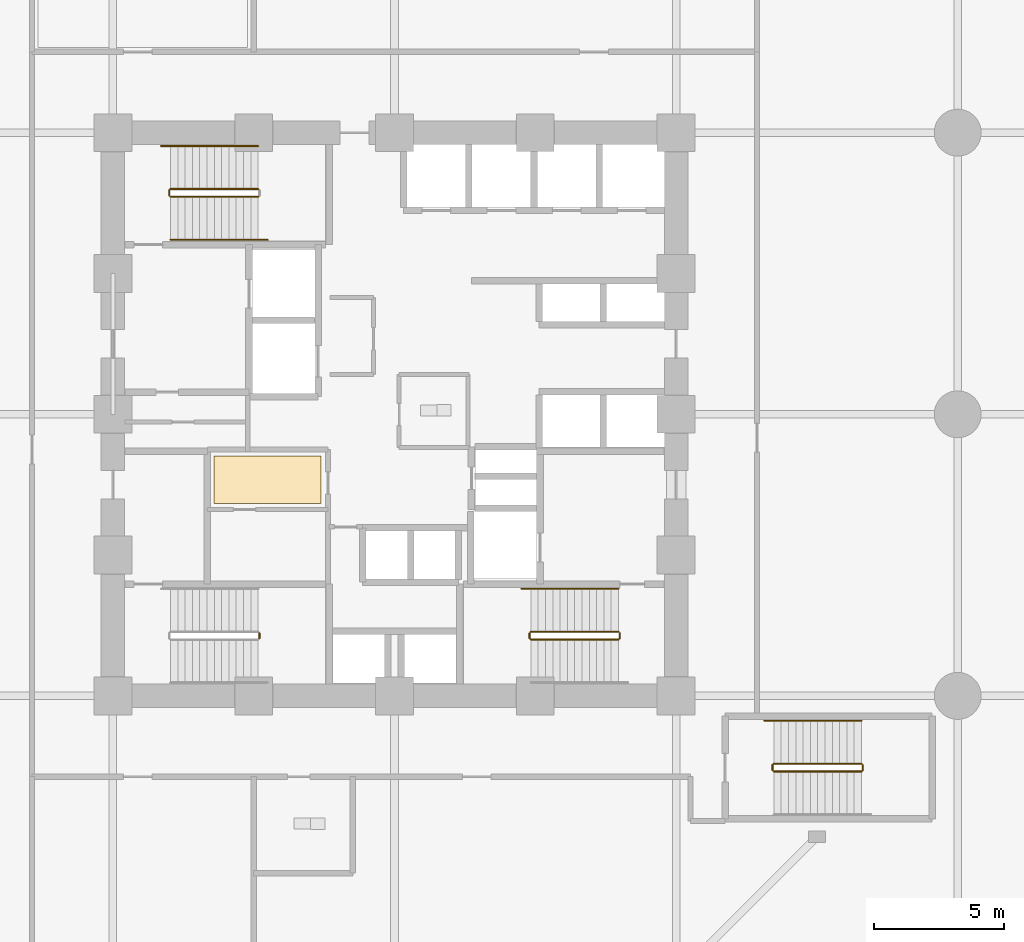
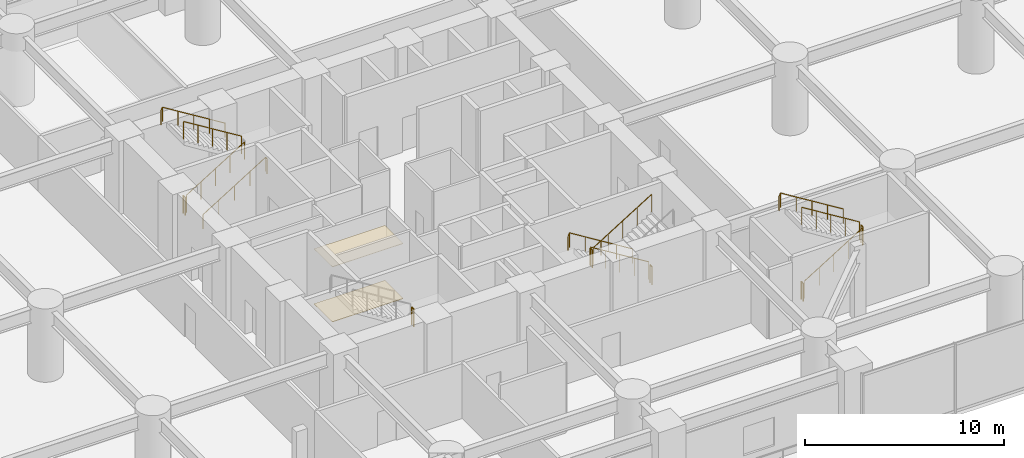
# One storey, part 33 of 36: 16 railings, 2 coverings.
"""IFC4 building model written with IfcOpenShell, lengths in metres."""

from ifc_helpers import new_model, si_unit, direction, frame, origin, origin_2d, place, context, subcontext, project, spatial, polyline, circle, outline, extrude, material, layer, layer_set, type_object, element, save


model = new_model("IFC4")

# Units and contexts
model_context = context("Model", 3, precision=1e-05, world=origin(), true_north=direction((0.0, 1.0)))
body_context = subcontext(model_context, "Body", "Model", "MODEL_VIEW")
ifc_project = project(units=[si_unit("LENGTHUNIT", "METRE"), si_unit("AREAUNIT", "SQUARE_METRE"), si_unit("VOLUMEUNIT", "CUBIC_METRE"), si_unit("PLANEANGLEUNIT", "RADIAN"), si_unit("MASSUNIT", "GRAM", prefix="KILO")], contexts=[model_context])

# Site, building, storey
site_placement = place(None, origin())
site = spatial("IfcSite", under=ifc_project, at=site_placement, CompositionType="ELEMENT")
building_placement = place(site_placement, origin())
building = spatial("IfcBuilding", under=site, at=building_placement, Name="Surkhivell Harbour Commons", CompositionType="ELEMENT")
storey_placement = place(building_placement, frame((0.0, 0.0, 9.0)))
storey = spatial("IfcBuildingStorey", under=building, at=storey_placement, Name="L02", CompositionType="ELEMENT", Elevation=9.0)

# Coverings
ifc_material_1 = material(Name="Perforated acoustic mineral-fibre ceiling tile", Category="other")
ifc_layer_1 = layer(ifc_material_1, 0.02490234375)
ifc_layer_set_1 = layer_set([ifc_layer_1], Name="Perforated acoustic mineral-fibre ceiling tile")
covering_type_1 = type_object("IfcCoveringType", Name="COV-CEIL-AC", PredefinedType="CEILING", material=ifc_layer_set_1)
covering_1_placement = place(storey_placement, frame((0.0, 0.0, 3.3740234375)))
element("IfcCovering", 1, at=covering_1_placement, inside=storey, type_object=covering_type_1, Name="L02 Suspended Acoustic Ceiling 1", PredefinedType="CEILING", context=body_context, shape_type="SweptSolid", body=[
    extrude(outline(polyline([(-6.929931640625, -3.429931640625), (-2.820068359375, -3.429931640625), (-2.820068359375, -1.60009765625), (-6.929931640625, -1.60009765625), (-6.929931640625, -3.429931640625)])), origin(), (0.0, 0.0, 1.0), 0.02490234375),
])
ifc_material_2 = material(Name="Honed terrazzo and porcelain floor finish", Category="masonry")
ifc_layer_2 = layer(ifc_material_2, 0.02490234375)
ifc_layer_set_2 = layer_set([ifc_layer_2], Name="Honed terrazzo and porcelain floor finish")
covering_type_2 = type_object("IfcCoveringType", Name="COV-FLR-TER", PredefinedType="FLOORING", material=ifc_layer_set_2)
covering_2_placement = place(storey_placement, origin())
element("IfcCovering", 2, at=covering_2_placement, inside=storey, type_object=covering_type_2, Name="L02 Interior Floor Finish 1", PredefinedType="FLOORING", context=body_context, shape_type="SweptSolid", body=[
    extrude(outline(polyline([(-6.929931640625, -3.429931640625), (-2.820068359375, -3.429931640625), (-2.820068359375, -1.60009765625), (-6.929931640625, -1.60009765625), (-6.929931640625, -3.429931640625)])), origin(), (0.0, 0.0, 1.0), 0.02490234375),
])

# Railings
ifc_material_3 = material(Name="Galvanised and painted steel S355 guard rail", Category="steel")
railing_type_1 = type_object("IfcRailingType", Name="RAL-ST-GRD1100", PredefinedType="GUARDRAIL", material=ifc_material_3)
railing_1_placement = place(storey_placement, frame((-8.590087890625, 8.340087890625, 0.173095703125)))
element("IfcRailing", 3, at=railing_1_placement, inside=storey, type_object=railing_type_1, Name="L02 ST1 stair guard 1", PredefinedType="GUARDRAIL", context=body_context, shape_type="SweptSolid", body=[
    extrude(circle(Radius=0.02392578125, at=origin_2d()), frame((0.0, 0.0, 1.076171875), z_axis=(0.850623216509, 0.0, 0.525775754039), x_axis=(0.0, 1.0, 0.0)), (0.0, 0.0, 1.0), 3.9501953125),
    extrude(circle(Radius=0.02099609375, at=origin_2d()), origin(), (0.0, 0.0, 1.0), 1.052001953125),
    extrude(circle(Radius=0.02099609375, at=origin_2d()), frame((0.840087890625, 0.0, 0.519287109375)), (0.0, 0.0, 1.0), 1.052001953125),
    extrude(circle(Radius=0.02099609375, at=origin_2d()), frame((1.68017578125, 0.0, 1.03857421875)), (0.0, 0.0, 1.0), 1.052001953125),
    extrude(circle(Radius=0.02099609375, at=origin_2d()), frame((2.52001953125, 0.0, 1.5576171875)), (0.0, 0.0, 1.0), 1.052001953125),
    extrude(circle(Radius=0.02099609375, at=origin_2d()), frame((3.360107421875, 0.0, 2.076904296875)), (0.0, 0.0, 1.0), 1.052001953125),
])
railing_2_placement = place(storey_placement, frame((-5.22998046875, 8.639892578125, 2.423095703125)))
element("IfcRailing", 4, at=railing_2_placement, inside=storey, type_object=railing_type_1, Name="L02 ST1 stair guard 3", PredefinedType="GUARDRAIL", context=body_context, shape_type="SweptSolid", body=[
    extrude(circle(Radius=0.02392578125, at=origin_2d()), frame((0.0, 0.0, 1.076171875), z_axis=(-0.850623216509, 0.0, 0.525775754039), x_axis=(0.0, -1.0, 0.0)), (0.0, 0.0, 1.0), 3.9501953125),
    extrude(circle(Radius=0.02099609375, at=origin_2d()), origin(), (0.0, 0.0, 1.0), 1.052001953125),
    extrude(circle(Radius=0.02099609375, at=origin_2d()), frame((-0.840087890625, 0.0, 0.519287109375)), (0.0, 0.0, 1.0), 1.052001953125),
    extrude(circle(Radius=0.02099609375, at=origin_2d()), frame((-1.68017578125, 0.0, 1.03857421875)), (0.0, 0.0, 1.0), 1.052001953125),
    extrude(circle(Radius=0.02099609375, at=origin_2d()), frame((-2.52001953125, 0.0, 1.5576171875)), (0.0, 0.0, 1.0), 1.052001953125),
    extrude(circle(Radius=0.02099609375, at=origin_2d()), frame((-3.360107421875, 0.0, 2.076904296875)), (0.0, 0.0, 1.0), 1.052001953125),
])
railing_3_placement = place(storey_placement, frame((-8.639892578125, 8.389892578125, 0.0)))
element("IfcRailing", 5, at=railing_3_placement, inside=storey, type_object=railing_type_1, Name="L02 ST1 stair guard 4", PredefinedType="GUARDRAIL", context=body_context, shape_type="SweptSolid", body=[
    extrude(circle(Radius=0.02392578125, at=origin_2d()), frame((0.0, 0.0, 1.076171875), z_axis=(0.0, 1.0, 0.0), x_axis=(-1.0, 0.0, 0.0)), (0.0, 0.0, 1.0), 0.2001953125),
    extrude(circle(Radius=0.02099609375, at=origin_2d()), origin(), (0.0, 0.0, 1.0), 1.052001953125),
    extrude(circle(Radius=0.02099609375, at=origin_2d()), frame((0.0, 0.2001953125, 0.0)), (0.0, 0.0, 1.0), 1.052001953125),
])
railing_4_placement = place(storey_placement, frame((8.590087890625, -8.340087890625, 0.173095703125)))
element("IfcRailing", 6, at=railing_4_placement, inside=storey, type_object=railing_type_1, Name="L02 ST2 stair guard 1", PredefinedType="GUARDRAIL", context=body_context, shape_type="SweptSolid", body=[
    extrude(circle(Radius=0.02392578125, at=origin_2d()), frame((0.0, 0.0, 1.076171875), z_axis=(-0.850623216509, 0.0, 0.525775754039), x_axis=(0.0, -1.0, 0.0)), (0.0, 0.0, 1.0), 3.9501953125),
    extrude(circle(Radius=0.02099609375, at=origin_2d()), origin(), (0.0, 0.0, 1.0), 1.052001953125),
    extrude(circle(Radius=0.02099609375, at=origin_2d()), frame((-0.840087890625, 0.0, 0.519287109375)), (0.0, 0.0, 1.0), 1.052001953125),
    extrude(circle(Radius=0.02099609375, at=origin_2d()), frame((-1.68017578125, 0.0, 1.03857421875)), (0.0, 0.0, 1.0), 1.052001953125),
    extrude(circle(Radius=0.02099609375, at=origin_2d()), frame((-2.52001953125, 0.0, 1.5576171875)), (0.0, 0.0, 1.0), 1.052001953125),
    extrude(circle(Radius=0.02099609375, at=origin_2d()), frame((-3.360107421875, 0.0, 2.076904296875)), (0.0, 0.0, 1.0), 1.052001953125),
])
railing_5_placement = place(storey_placement, frame((5.179931640625, -8.389892578125, 2.25)))
element("IfcRailing", 7, at=railing_5_placement, inside=storey, type_object=railing_type_1, Name="L02 ST2 stair guard 2", PredefinedType="GUARDRAIL", context=body_context, shape_type="SweptSolid", body=[
    extrude(circle(Radius=0.02392578125, at=origin_2d()), frame((0.0, 0.0, 1.076171875), z_axis=(0.0, -1.0, 0.0), x_axis=(1.0, 0.0, 0.0)), (0.0, 0.0, 1.0), 0.2001953125),
    extrude(circle(Radius=0.02099609375, at=origin_2d()), origin(), (0.0, 0.0, 1.0), 1.052001953125),
    extrude(circle(Radius=0.02099609375, at=origin_2d()), frame((0.0, -0.2001953125, 0.0)), (0.0, 0.0, 1.0), 1.052001953125),
])
railing_6_placement = place(storey_placement, frame((5.22998046875, -8.639892578125, 2.423095703125)))
element("IfcRailing", 8, at=railing_6_placement, inside=storey, type_object=railing_type_1, Name="L02 ST2 stair guard 3", PredefinedType="GUARDRAIL", context=body_context, shape_type="SweptSolid", body=[
    extrude(circle(Radius=0.02392578125, at=origin_2d()), frame((0.0, 0.0, 1.076171875), z_axis=(0.850623216509, 0.0, 0.525775754039), x_axis=(0.0, 1.0, 0.0)), (0.0, 0.0, 1.0), 3.9501953125),
    extrude(circle(Radius=0.02099609375, at=origin_2d()), origin(), (0.0, 0.0, 1.0), 1.052001953125),
    extrude(circle(Radius=0.02099609375, at=origin_2d()), frame((0.840087890625, 0.0, 0.519287109375)), (0.0, 0.0, 1.0), 1.052001953125),
    extrude(circle(Radius=0.02099609375, at=origin_2d()), frame((1.68017578125, 0.0, 1.03857421875)), (0.0, 0.0, 1.0), 1.052001953125),
    extrude(circle(Radius=0.02099609375, at=origin_2d()), frame((2.52001953125, 0.0, 1.5576171875)), (0.0, 0.0, 1.0), 1.052001953125),
    extrude(circle(Radius=0.02099609375, at=origin_2d()), frame((3.360107421875, 0.0, 2.076904296875)), (0.0, 0.0, 1.0), 1.052001953125),
])
railing_7_placement = place(storey_placement, frame((8.639892578125, -8.389892578125, 0.0)))
element("IfcRailing", 9, at=railing_7_placement, inside=storey, type_object=railing_type_1, Name="L02 ST2 stair guard 4", PredefinedType="GUARDRAIL", context=body_context, shape_type="SweptSolid", body=[
    extrude(circle(Radius=0.02392578125, at=origin_2d()), frame((0.0, 0.0, 1.076171875), z_axis=(0.0, -1.0, 0.0), x_axis=(1.0, 0.0, 0.0)), (0.0, 0.0, 1.0), 0.2001953125),
    extrude(circle(Radius=0.02099609375, at=origin_2d()), origin(), (0.0, 0.0, 1.0), 1.052001953125),
    extrude(circle(Radius=0.02099609375, at=origin_2d()), frame((0.0, -0.2001953125, 0.0)), (0.0, 0.0, 1.0), 1.052001953125),
])
railing_8_placement = place(storey_placement, frame((-5.179931640625, -8.590087890625, 2.25)))
element("IfcRailing", 10, at=railing_8_placement, inside=storey, type_object=railing_type_1, Name="L02 ST3 stair guard 2", PredefinedType="GUARDRAIL", context=body_context, shape_type="SweptSolid", body=[
    extrude(circle(Radius=0.02392578125, at=origin_2d()), frame((0.0, 0.0, 1.076171875), z_axis=(0.0, 1.0, 0.0), x_axis=(-1.0, 0.0, 0.0)), (0.0, 0.0, 1.0), 0.2001953125),
    extrude(circle(Radius=0.02099609375, at=origin_2d()), origin(), (0.0, 0.0, 1.0), 1.052001953125),
    extrude(circle(Radius=0.02099609375, at=origin_2d()), frame((0.0, 0.2001953125, 0.0)), (0.0, 0.0, 1.0), 1.052001953125),
])
railing_9_placement = place(storey_placement, frame((14.550048828125, -13.699951171875, 0.173095703125)))
element("IfcRailing", 11, at=railing_9_placement, inside=storey, type_object=railing_type_1, Name="L02 ST4 stair guard 1", PredefinedType="GUARDRAIL", context=body_context, shape_type="SweptSolid", body=[
    extrude(circle(Radius=0.02392578125, at=origin_2d()), frame((0.0, 0.0, 1.076171875), z_axis=(0.850606129759, 0.0, 0.525803396734), x_axis=(0.0, 1.0, 0.0)), (0.0, 0.0, 1.0), 3.949951171875),
    extrude(circle(Radius=0.02099609375, at=origin_2d()), origin(), (0.0, 0.0, 1.0), 1.052001953125),
    extrude(circle(Radius=0.02099609375, at=origin_2d()), frame((0.83984375, 0.0, 0.519287109375)), (0.0, 0.0, 1.0), 1.052001953125),
    extrude(circle(Radius=0.02099609375, at=origin_2d()), frame((1.679931640625, 0.0, 1.03857421875)), (0.0, 0.0, 1.0), 1.052001953125),
    extrude(circle(Radius=0.02099609375, at=origin_2d()), frame((2.52001953125, 0.0, 1.5576171875)), (0.0, 0.0, 1.0), 1.052001953125),
    extrude(circle(Radius=0.02099609375, at=origin_2d()), frame((3.35986328125, 0.0, 2.076904296875)), (0.0, 0.0, 1.0), 1.052001953125),
])
railing_10_placement = place(storey_placement, frame((17.9599609375, -13.64990234375, 2.25)))
element("IfcRailing", 12, at=railing_10_placement, inside=storey, type_object=railing_type_1, Name="L02 ST4 stair guard 2", PredefinedType="GUARDRAIL", context=body_context, shape_type="SweptSolid", body=[
    extrude(circle(Radius=0.02392578125, at=origin_2d()), frame((0.0, 0.0, 1.076171875), z_axis=(0.0, 1.0, 0.0), x_axis=(-1.0, 0.0, 0.0)), (0.0, 0.0, 1.0), 0.199951171875),
    extrude(circle(Radius=0.02099609375, at=origin_2d()), origin(), (0.0, 0.0, 1.0), 1.052001953125),
    extrude(circle(Radius=0.02099609375, at=origin_2d()), frame((0.0, 0.199951171875, 0.0)), (0.0, 0.0, 1.0), 1.052001953125),
])
railing_11_placement = place(storey_placement, frame((17.909912109375, -13.39990234375, 2.423095703125)))
element("IfcRailing", 13, at=railing_11_placement, inside=storey, type_object=railing_type_1, Name="L02 ST4 stair guard 3", PredefinedType="GUARDRAIL", context=body_context, shape_type="SweptSolid", body=[
    extrude(circle(Radius=0.02392578125, at=origin_2d()), frame((0.0, 0.0, 1.076171875), z_axis=(-0.850606129759, 0.0, 0.525803396734), x_axis=(0.0, -1.0, 0.0)), (0.0, 0.0, 1.0), 3.949951171875),
    extrude(circle(Radius=0.02099609375, at=origin_2d()), origin(), (0.0, 0.0, 1.0), 1.052001953125),
    extrude(circle(Radius=0.02099609375, at=origin_2d()), frame((-0.83984375, 0.0, 0.519287109375)), (0.0, 0.0, 1.0), 1.052001953125),
    extrude(circle(Radius=0.02099609375, at=origin_2d()), frame((-1.679931640625, 0.0, 1.03857421875)), (0.0, 0.0, 1.0), 1.052001953125),
    extrude(circle(Radius=0.02099609375, at=origin_2d()), frame((-2.52001953125, 0.0, 1.5576171875)), (0.0, 0.0, 1.0), 1.052001953125),
    extrude(circle(Radius=0.02099609375, at=origin_2d()), frame((-3.35986328125, 0.0, 2.076904296875)), (0.0, 0.0, 1.0), 1.052001953125),
])
railing_12_placement = place(storey_placement, frame((14.5, -13.64990234375, 0.0)))
element("IfcRailing", 14, at=railing_12_placement, inside=storey, type_object=railing_type_1, Name="L02 ST4 stair guard 4", PredefinedType="GUARDRAIL", context=body_context, shape_type="SweptSolid", body=[
    extrude(circle(Radius=0.02392578125, at=origin_2d()), frame((0.0, 0.0, 1.076171875), z_axis=(0.0, 1.0, 0.0), x_axis=(-1.0, 0.0, 0.0)), (0.0, 0.0, 1.0), 0.199951171875),
    extrude(circle(Radius=0.02099609375, at=origin_2d()), origin(), (0.0, 0.0, 1.0), 1.052001953125),
    extrude(circle(Radius=0.02099609375, at=origin_2d()), frame((0.0, 0.199951171875, 0.0)), (0.0, 0.0, 1.0), 1.052001953125),
])
ifc_material_4 = material(Name="Brushed stainless steel S355 handrail", Category="steel")
railing_type_2 = type_object("IfcRailingType", Name="RAL-ST-HND900", PredefinedType="HANDRAIL", material=ifc_material_4)
railing_13_placement = place(storey_placement, frame((-8.590087890625, 6.68994140625, 0.173095703125)))
element("IfcRailing", 15, at=railing_13_placement, inside=storey, type_object=railing_type_2, Name="L02 ST1 stair handrail 1", PredefinedType="HANDRAIL", context=body_context, shape_type="SweptSolid", body=[
    extrude(circle(Radius=0.02392578125, at=origin_2d()), frame((0.0, 0.0, 0.8759765625), z_axis=(0.850622404505, 0.0, 0.525777067734), x_axis=(0.0, 1.0, 0.0)), (0.0, 0.0, 1.0), 4.279296875),
    extrude(circle(Radius=0.02392578125, at=origin_2d()), frame((3.64013671875, 0.0, 3.1259765625), z_axis=(0.418814502111, 0.0, -0.908071810388), x_axis=(0.0, 1.0, 0.0)), (0.0, 0.0, 1.0), 0.190673828125),
    extrude(circle(Radius=0.02099609375, at=origin_2d()), origin(), (0.0, 0.0, 1.0), 0.851806640625),
    extrude(circle(Radius=0.02099609375, at=origin_2d()), frame((0.91015625, 0.0, 0.5625)), (0.0, 0.0, 1.0), 0.851806640625),
    extrude(circle(Radius=0.02099609375, at=origin_2d()), frame((1.820068359375, 0.0, 1.125)), (0.0, 0.0, 1.0), 0.851806640625),
    extrude(circle(Radius=0.02099609375, at=origin_2d()), frame((2.72998046875, 0.0, 1.6875)), (0.0, 0.0, 1.0), 0.851806640625),
    extrude(circle(Radius=0.02099609375, at=origin_2d()), frame((3.64013671875, 0.0, 2.25)), (0.0, 0.0, 1.0), 0.851806640625),
    extrude(circle(Radius=0.02099609375, at=origin_2d()), frame((3.719970703125, 0.0, 2.076904296875)), (0.0, 0.0, 1.0), 0.851806640625),
])
for number, where, name in (
    (16, (-5.22998046875, 10.2900390625, 2.423095703125), "L02 ST1 stair handrail 2"),
    (17, (8.590087890625, -6.68994140625, 0.173095703125), "L02 ST2 stair handrail 1"),
):
    element("IfcRailing", number, at=place(storey_placement, frame(where)), inside=storey, type_object=railing_type_2, Name=name, PredefinedType="HANDRAIL", context=body_context, shape_type="SweptSolid", body=[
        extrude(circle(Radius=0.02392578125, at=origin_2d()), frame((0.0, 0.0, 0.8759765625), z_axis=(-0.850622404505, 0.0, 0.525777067734), x_axis=(0.0, -1.0, 0.0)), (0.0, 0.0, 1.0), 4.279296875),
        extrude(circle(Radius=0.02392578125, at=origin_2d()), frame((-3.64013671875, 0.0, 3.1259765625), z_axis=(-0.418814502111, 0.0, -0.908071810388), x_axis=(0.0, -1.0, 0.0)), (0.0, 0.0, 1.0), 0.190673828125),
        extrude(circle(Radius=0.02099609375, at=origin_2d()), origin(), (0.0, 0.0, 1.0), 0.851806640625),
        extrude(circle(Radius=0.02099609375, at=origin_2d()), frame((-0.91015625, 0.0, 0.5625)), (0.0, 0.0, 1.0), 0.851806640625),
        extrude(circle(Radius=0.02099609375, at=origin_2d()), frame((-1.820068359375, 0.0, 1.125)), (0.0, 0.0, 1.0), 0.851806640625),
        extrude(circle(Radius=0.02099609375, at=origin_2d()), frame((-2.72998046875, 0.0, 1.6875)), (0.0, 0.0, 1.0), 0.851806640625),
        extrude(circle(Radius=0.02099609375, at=origin_2d()), frame((-3.64013671875, 0.0, 2.25)), (0.0, 0.0, 1.0), 0.851806640625),
        extrude(circle(Radius=0.02099609375, at=origin_2d()), frame((-3.719970703125, 0.0, 2.076904296875)), (0.0, 0.0, 1.0), 0.851806640625),
    ])
railing_14_placement = place(storey_placement, frame((17.909912109375, -11.75, 2.423095703125)))
element("IfcRailing", 18, at=railing_14_placement, inside=storey, type_object=railing_type_2, Name="L02 ST4 stair handrail 2", PredefinedType="HANDRAIL", context=body_context, shape_type="SweptSolid", body=[
    extrude(circle(Radius=0.02392578125, at=origin_2d()), frame((0.0, 0.0, 0.8759765625), z_axis=(-0.850606632239, 0.0, 0.525802583857), x_axis=(0.0, -1.0, 0.0)), (0.0, 0.0, 1.0), 4.279052734375),
    extrude(circle(Radius=0.02392578125, at=origin_2d()), frame((-3.639892578125, 0.0, 3.1259765625), z_axis=(-0.419869774861, 0.0, -0.907584360904), x_axis=(0.0, -1.0, 0.0)), (0.0, 0.0, 1.0), 0.190673828125),
    extrude(circle(Radius=0.02099609375, at=origin_2d()), origin(), (0.0, 0.0, 1.0), 0.851806640625),
    extrude(circle(Radius=0.02099609375, at=origin_2d()), frame((-0.909912109375, 0.0, 0.5625)), (0.0, 0.0, 1.0), 0.851806640625),
    extrude(circle(Radius=0.02099609375, at=origin_2d()), frame((-1.81982421875, 0.0, 1.125)), (0.0, 0.0, 1.0), 0.851806640625),
    extrude(circle(Radius=0.02099609375, at=origin_2d()), frame((-2.72998046875, 0.0, 1.6875)), (0.0, 0.0, 1.0), 0.851806640625),
    extrude(circle(Radius=0.02099609375, at=origin_2d()), frame((-3.639892578125, 0.0, 2.25)), (0.0, 0.0, 1.0), 0.851806640625),
    extrude(circle(Radius=0.02099609375, at=origin_2d()), frame((-3.719970703125, 0.0, 2.076904296875)), (0.0, 0.0, 1.0), 0.851806640625),
])

save(model, "model.ifc")
